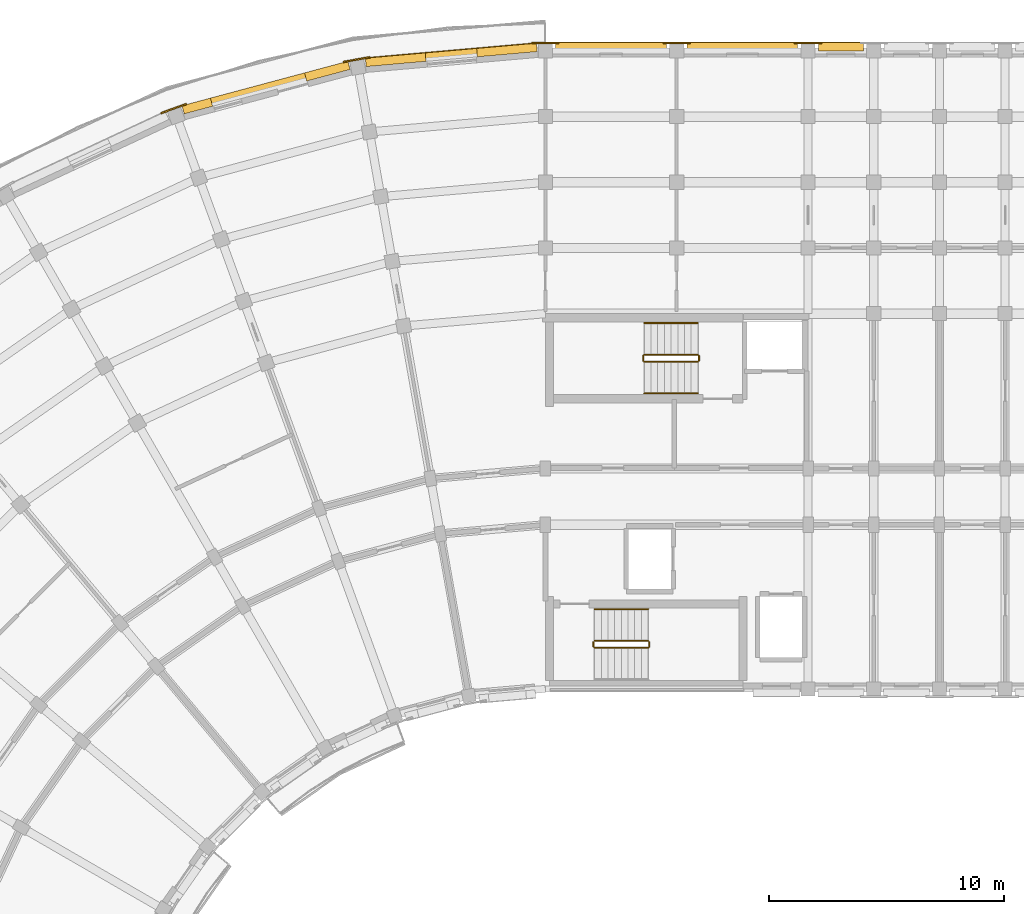
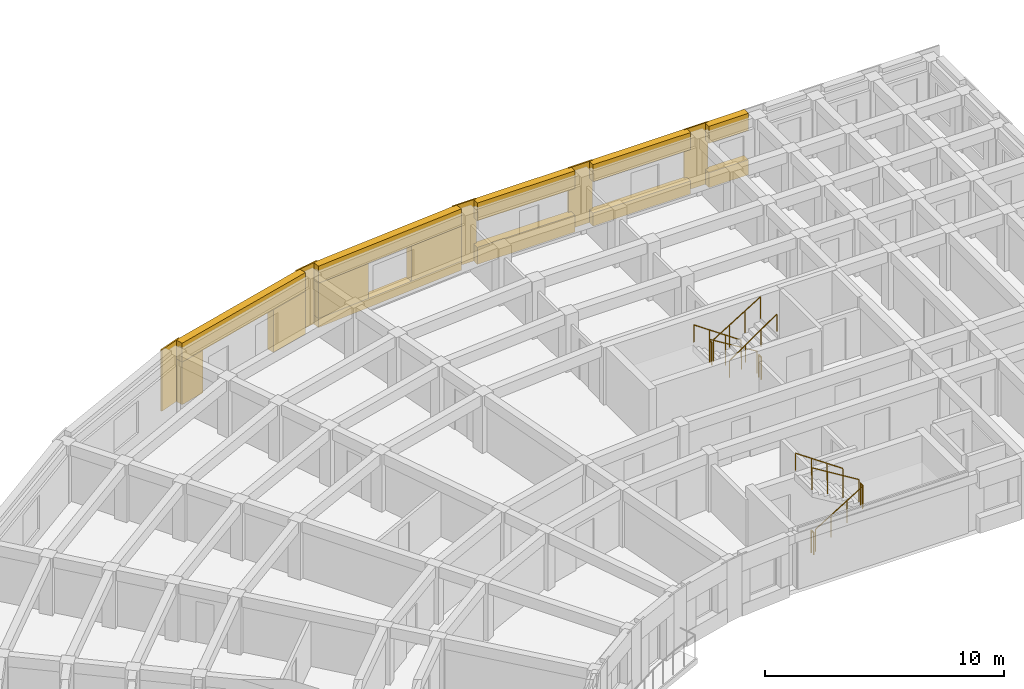
# One storey, part 34 of 41: 18 coverings, 11 railings.
"""IFC4 building model written with IfcOpenShell, lengths in metres."""

from ifc_helpers import new_model, si_unit, direction, frame, origin, origin_2d, place, context, subcontext, project, spatial, polyline, circle, outline, extrude, material, layer, layer_set, type_object, element, save


model = new_model("IFC4")

# Units and contexts
model_context = context("Model", 3, precision=1e-05, world=origin(), true_north=direction((0.0, 1.0)))
body_context = subcontext(model_context, "Body", "Model", "MODEL_VIEW")
ifc_project = project(units=[si_unit("LENGTHUNIT", "METRE"), si_unit("AREAUNIT", "SQUARE_METRE"), si_unit("VOLUMEUNIT", "CUBIC_METRE"), si_unit("PLANEANGLEUNIT", "RADIAN"), si_unit("MASSUNIT", "GRAM", prefix="KILO")], contexts=[model_context])

# Site, building, storey
site_placement = place(None, origin())
site = spatial("IfcSite", under=ifc_project, at=site_placement, CompositionType="ELEMENT")
building_placement = place(site_placement, origin())
building = spatial("IfcBuilding", under=site, at=building_placement, Name="Kiranvali Square Residences", CompositionType="ELEMENT")
storey_placement = place(building_placement, frame((0.0, 0.0, 33.89990234375)))
storey = spatial("IfcBuildingStorey", under=building, at=storey_placement, Name="L10", CompositionType="ELEMENT", Elevation=33.89990234375)

# Coverings
ifc_material_1 = material(Name="Honed Porbandar limestone ashlar facade cladding", Category="masonry")
ifc_layer_1 = layer(ifc_material_1, 0.3798828125)
ifc_layer_set_1 = layer_set([ifc_layer_1], Name="Honed Porbandar limestone ashlar facade cladding")
covering_type_1 = type_object("IfcCoveringType", Name="COV-CLAD-JAMB", PredefinedType="CLADDING", material=ifc_layer_set_1)
covering_1_placement = place(storey_placement, frame((0.0, 0.0, 0.47216796875)))
element("IfcCovering", 1, at=covering_1_placement, inside=storey, type_object=covering_type_1, Name="L10 deep limestone window jamb reveal A-L10-CRV-00.L", PredefinedType="CLADDING", context=body_context, shape_type="SweptSolid", body=[
    extrude(outline(polyline([(47.820068359375, 134.128173828125), (45.2705078125, 133.905029296875), (45.3017578125, 133.546875), (47.851318359375, 133.77001953125), (47.820068359375, 134.128173828125)])), origin(), (0.0, 0.0, 1.0), 1.800048828125),
])
covering_2_placement = place(storey_placement, frame((0.0, 0.0, 0.47216796875)))
element("IfcCovering", 2, at=covering_2_placement, inside=storey, type_object=covering_type_1, Name="L10 deep limestone window jamb reveal A-L10-CRV-00.R", PredefinedType="CLADDING", context=body_context, shape_type="SweptSolid", body=[
    extrude(outline(polyline([(43.078857421875, 133.71337890625), (40.529541015625, 133.490234375), (40.560791015625, 133.132080078125), (43.1103515625, 133.355224609375), (43.078857421875, 133.71337890625)])), origin(), (0.0, 0.0, 1.0), 1.800048828125),
])
covering_3_placement = place(storey_placement, origin())
element("IfcCovering", 3, at=covering_3_placement, inside=storey, type_object=covering_type_1, Name="L10 deep limestone window jamb reveal A-L10-CRV-01.L", PredefinedType="CLADDING", context=body_context, shape_type="SweptSolid", body=[
    extrude(outline(polyline([(39.781005859375, 133.3583984375), (37.9345703125, 132.863525390625), (38.027587890625, 132.516357421875), (39.8740234375, 133.010986328125), (39.781005859375, 133.3583984375)])), origin(), (0.0, 0.0, 1.0), 2.18017578125),
])
covering_4_placement = place(storey_placement, origin())
element("IfcCovering", 4, at=covering_4_placement, inside=storey, type_object=covering_type_1, Name="L10 deep limestone window jamb reveal A-L10-CRV-01.R", PredefinedType="CLADDING", context=body_context, shape_type="SweptSolid", body=[
    extrude(outline(polyline([(33.922119140625, 131.788330078125), (32.7119140625, 131.464111328125), (32.804931640625, 131.116943359375), (34.01513671875, 131.441162109375), (33.922119140625, 131.788330078125)])), origin(), (0.0, 0.0, 1.0), 2.18017578125),
])
ifc_layer_2 = layer(ifc_material_1, 0.06494140625)
ifc_layer_set_2 = layer_set([ifc_layer_2], Name="Honed Porbandar limestone ashlar facade cladding")
covering_type_2 = type_object("IfcCoveringType", Name="COV-CLAD-PIER", PredefinedType="CLADDING", material=ifc_layer_set_2)
covering_5_placement = place(storey_placement, frame((0.0, 0.0, 0.005126953125)))
element("IfcCovering", 5, at=covering_5_placement, inside=storey, type_object=covering_type_2, Name="L10 Classical limestone corner pilaster CLAD-PR-A-L10-A00", PredefinedType="CLADDING", context=body_context, shape_type="SweptSolid", body=[
    extrude(outline(polyline([(48.780029296875, 134.16796875), (47.6201171875, 134.16796875), (47.6201171875, 134.1005859375), (48.780029296875, 134.1005859375), (48.780029296875, 134.16796875)])), origin(), (0.0, 0.0, 1.0), 3.139892578125),
])
covering_6_placement = place(storey_placement, frame((0.0, 0.0, 0.005126953125)))
element("IfcCovering", 6, at=covering_6_placement, inside=storey, type_object=covering_type_2, Name="L10 Classical limestone corner pilaster CLAD-PR-A-L10-A01", PredefinedType="CLADDING", context=body_context, shape_type="SweptSolid", body=[
    extrude(outline(polyline([(40.719482421875, 133.564208984375), (39.5771484375, 133.36279296875), (39.5888671875, 133.29638671875), (40.731201171875, 133.497802734375), (40.719482421875, 133.564208984375)])), origin(), (0.0, 0.0, 1.0), 3.139892578125),
])
covering_7_placement = place(storey_placement, frame((0.0, 0.0, 0.005126953125)))
element("IfcCovering", 7, at=covering_7_placement, inside=storey, type_object=covering_type_2, Name="L10 Classical limestone corner pilaster CLAD-PR-A-L10-A02", PredefinedType="CLADDING", context=body_context, shape_type="SweptSolid", body=[
    extrude(outline(polyline([(32.88623046875, 131.570068359375), (31.796142578125, 131.17333984375), (31.8193359375, 131.10986328125), (32.909423828125, 131.506591796875), (32.88623046875, 131.570068359375)])), origin(), (0.0, 0.0, 1.0), 3.139892578125),
])
ifc_layer_3 = layer(ifc_material_1, 0.054931640625)
ifc_layer_set_3 = layer_set([ifc_layer_3], Name="Honed Porbandar limestone ashlar facade cladding")
covering_type_3 = type_object("IfcCoveringType", Name="COV-CLAD-PIER-UP", PredefinedType="CLADDING", material=ifc_layer_set_3)
covering_8_placement = place(storey_placement, frame((0.0, 0.0, 0.005126953125)))
element("IfcCovering", 8, at=covering_8_placement, inside=storey, type_object=covering_type_3, Name="L10 Classical limestone pilaster casing CLAD-PR-A-L10-U56", PredefinedType="CLADDING", context=body_context, shape_type="SweptSolid", body=[
    extrude(outline(polyline([(53.219970703125, 134.1005859375), (54.3798828125, 134.1005859375), (54.3798828125, 134.16796875), (53.219970703125, 134.16796875), (53.219970703125, 134.1005859375)])), origin(), (0.0, 0.0, 1.0), 3.139892578125),
])
covering_9_placement = place(storey_placement, frame((0.0, 0.0, 0.005126953125)))
element("IfcCovering", 9, at=covering_9_placement, inside=storey, type_object=covering_type_3, Name="L10 Classical limestone pilaster casing CLAD-PR-A-L10-U112", PredefinedType="CLADDING", context=body_context, shape_type="SweptSolid", body=[
    extrude(outline(polyline([(58.820068359375, 134.1005859375), (59.97998046875, 134.1005859375), (59.97998046875, 134.16796875), (58.820068359375, 134.16796875), (58.820068359375, 134.1005859375)])), origin(), (0.0, 0.0, 1.0), 3.139892578125),
])
ifc_layer_4 = layer(ifc_material_1, 0.360107421875)
ifc_layer_set_4 = layer_set([ifc_layer_4], Name="Honed Porbandar limestone ashlar facade cladding")
covering_type_4 = type_object("IfcCoveringType", Name="COV-CLAD-WALL", PredefinedType="CLADDING", material=ifc_layer_set_4)
covering_10_placement = place(storey_placement, frame((0.0, 0.0, 2.272216796875)))
element("IfcCovering", 10, at=covering_10_placement, inside=storey, type_object=covering_type_4, Name="L10 light limestone spandrel lintel A-L10-CRV-00", PredefinedType="CLADDING", context=body_context, shape_type="SweptSolid", body=[
    extrude(outline(polyline([(47.820068359375, 134.128173828125), (40.529541015625, 133.490234375), (40.560791015625, 133.132080078125), (47.851318359375, 133.77001953125), (47.820068359375, 134.128173828125)])), origin(), (0.0, 0.0, 1.0), 0.872802734375),
])
covering_11_placement = place(storey_placement, frame((0.0, 0.0, 2.18017578125)))
element("IfcCovering", 11, at=covering_11_placement, inside=storey, type_object=covering_type_4, Name="L10 light limestone spandrel lintel A-L10-CRV-01", PredefinedType="CLADDING", context=body_context, shape_type="SweptSolid", body=[
    extrude(outline(polyline([(39.781005859375, 133.3583984375), (32.7119140625, 131.464111328125), (32.804931640625, 131.116943359375), (39.8740234375, 133.010986328125), (39.781005859375, 133.3583984375)])), origin(), (0.0, 0.0, 1.0), 0.96484375),
])
covering_12_placement = place(storey_placement, frame((0.0, 0.0, 2.22998046875)))
element("IfcCovering", 12, at=covering_12_placement, inside=storey, type_object=covering_type_4, Name="L10 light limestone spandrel lintel A-L10-A1O-0", PredefinedType="CLADDING", context=body_context, shape_type="SweptSolid", body=[
    extrude(outline(polyline([(48.639892578125, 133.800537109375), (53.360107421875, 133.800537109375), (53.360107421875, 134.14990234375), (48.639892578125, 134.14990234375), (48.639892578125, 133.800537109375)])), origin(), (0.0, 0.0, 1.0), 0.9150390625),
])
covering_13_placement = place(storey_placement, frame((0.0, 0.0, 2.272216796875)))
element("IfcCovering", 13, at=covering_13_placement, inside=storey, type_object=covering_type_4, Name="L10 light limestone spandrel lintel A-L10-A1O-1", PredefinedType="CLADDING", context=body_context, shape_type="SweptSolid", body=[
    extrude(outline(polyline([(54.239990234375, 133.800537109375), (58.9599609375, 133.800537109375), (58.9599609375, 134.14990234375), (54.239990234375, 134.14990234375), (54.239990234375, 133.800537109375)])), origin(), (0.0, 0.0, 1.0), 0.872802734375),
])
covering_14_placement = place(storey_placement, frame((0.0, 0.0, 2.272216796875)))
element("IfcCovering", 14, at=covering_14_placement, inside=storey, type_object=covering_type_4, Name="L10 light limestone spandrel lintel A-L10-A1O-2", PredefinedType="CLADDING", context=body_context, shape_type="SweptSolid", body=[
    extrude(outline(polyline([(59.840087890625, 133.800537109375), (61.760009765625, 133.800537109375), (61.760009765625, 134.14990234375), (59.840087890625, 134.14990234375), (59.840087890625, 133.800537109375)])), origin(), (0.0, 0.0, 1.0), 0.872802734375),
])
ifc_layer_5 = layer(ifc_material_1, 0.320068359375)
ifc_layer_set_5 = layer_set([ifc_layer_5], Name="Honed Porbandar limestone ashlar facade cladding")
covering_type_5 = type_object("IfcCoveringType", Name="COV-CLAD-WALL-UP", PredefinedType="CLADDING", material=ifc_layer_set_5)
covering_15_placement = place(storey_placement, frame((0.0, 0.0, 0.005126953125)))
element("IfcCovering", 15, at=covering_15_placement, inside=storey, type_object=covering_type_5, Name="L10 limestone window sill apron A-L10-CRV-00", PredefinedType="CLADDING", context=body_context, shape_type="SweptSolid", body=[
    extrude(outline(polyline([(47.8173828125, 134.157958984375), (40.52685546875, 133.520263671875), (40.560791015625, 133.132080078125), (47.851318359375, 133.77001953125), (47.8173828125, 134.157958984375)])), origin(), (0.0, 0.0, 1.0), 0.467041015625),
])
covering_16_placement = place(storey_placement, frame((0.0, 0.0, 0.005126953125)))
element("IfcCovering", 16, at=covering_16_placement, inside=storey, type_object=covering_type_5, Name="L10 limestone window sill apron A-L10-A1O-0", PredefinedType="CLADDING", context=body_context, shape_type="SweptSolid", body=[
    extrude(outline(polyline([(48.639892578125, 133.800537109375), (53.360107421875, 133.800537109375), (53.360107421875, 134.179931640625), (48.639892578125, 134.179931640625), (48.639892578125, 133.800537109375)])), origin(), (0.0, 0.0, 1.0), 0.875),
])
covering_17_placement = place(storey_placement, frame((0.0, 0.0, 0.005126953125)))
element("IfcCovering", 17, at=covering_17_placement, inside=storey, type_object=covering_type_5, Name="L10 limestone window sill apron A-L10-A1O-1", PredefinedType="CLADDING", context=body_context, shape_type="SweptSolid", body=[
    extrude(outline(polyline([(54.239990234375, 133.800537109375), (58.9599609375, 133.800537109375), (58.9599609375, 134.179931640625), (54.239990234375, 134.179931640625), (54.239990234375, 133.800537109375)])), origin(), (0.0, 0.0, 1.0), 0.6669921875),
])
covering_18_placement = place(storey_placement, frame((0.0, 0.0, 0.005126953125)))
element("IfcCovering", 18, at=covering_18_placement, inside=storey, type_object=covering_type_5, Name="L10 limestone window sill apron A-L10-A1O-2", PredefinedType="CLADDING", context=body_context, shape_type="SweptSolid", body=[
    extrude(outline(polyline([(59.840087890625, 133.800537109375), (61.760009765625, 133.800537109375), (61.760009765625, 134.179931640625), (59.840087890625, 134.179931640625), (59.840087890625, 133.800537109375)])), origin(), (0.0, 0.0, 1.0), 0.76708984375),
])

# Railings
ifc_material_2 = material(Name="Brushed stainless steel tubular handrail", Category="steel")
railing_type_1 = type_object("IfcRailingType", Name="RL-HANDRAIL-900", PredefinedType="HANDRAIL", material=ifc_material_2)
railing_1_placement = place(storey_placement, frame((54.699951171875, 122.199951171875, 0.175048828125)))
element("IfcRailing", 19, at=railing_1_placement, inside=storey, type_object=railing_type_1, Name="L10 ST-A1 stair handrail 1", PredefinedType="HANDRAIL", context=body_context, shape_type="SweptSolid", body=[
    extrude(circle(Radius=0.02392578125, at=origin_2d()), frame((0.0, 0.0, 0.8759765625), z_axis=(-0.82278801735, 0.0, 0.568348377763), x_axis=(0.0, -1.0, 0.0)), (0.0, 0.0, 1.0), 2.77099609375),
    extrude(circle(Radius=0.02099609375, at=origin_2d()), origin(), (0.0, 0.0, 1.0), 0.851806640625),
    extrude(circle(Radius=0.02099609375, at=origin_2d()), frame((-0.760009765625, 0.0, 0.52490234375)), (0.0, 0.0, 1.0), 0.851806640625),
    extrude(circle(Radius=0.02099609375, at=origin_2d()), frame((-1.52001953125, 0.0, 1.050048828125)), (0.0, 0.0, 1.0), 0.851806640625),
    extrude(circle(Radius=0.02099609375, at=origin_2d()), frame((-2.280029296875, 0.0, 1.574951171875)), (0.0, 0.0, 1.0), 0.851806640625),
])
railing_2_placement = place(storey_placement, frame((52.419921875, 119.199951171875, 1.75)))
element("IfcRailing", 20, at=railing_2_placement, inside=storey, type_object=railing_type_1, Name="L10 ST-A1 stair handrail 2", PredefinedType="HANDRAIL", context=body_context, shape_type="SweptSolid", body=[
    extrude(circle(Radius=0.02392578125, at=origin_2d()), frame((0.0, 0.0, 0.8759765625), z_axis=(0.82274681792, 0.0, 0.568408016835), x_axis=(0.0, 1.0, 0.0)), (0.0, 0.0, 1.0), 2.771240234375),
    extrude(circle(Radius=0.02099609375, at=origin_2d()), origin(), (0.0, 0.0, 1.0), 0.851806640625),
    extrude(circle(Radius=0.02099609375, at=origin_2d()), frame((0.760009765625, 0.0, 0.525146484375)), (0.0, 0.0, 1.0), 0.851806640625),
    extrude(circle(Radius=0.02099609375, at=origin_2d()), frame((1.52001953125, 0.0, 1.050048828125)), (0.0, 0.0, 1.0), 0.851806640625),
    extrude(circle(Radius=0.02099609375, at=origin_2d()), frame((2.280029296875, 0.0, 1.5751953125)), (0.0, 0.0, 1.0), 0.851806640625),
])
railing_3_placement = place(storey_placement, frame((52.580078125, 110.0, 1.75)))
element("IfcRailing", 21, at=railing_3_placement, inside=storey, type_object=railing_type_1, Name="L10 ST-A2 stair handrail 2", PredefinedType="HANDRAIL", context=body_context, shape_type="SweptSolid", body=[
    extrude(circle(Radius=0.02392578125, at=origin_2d()), frame((0.0, 0.0, 0.8759765625), z_axis=(-0.82274681792, 0.0, 0.568408016835), x_axis=(0.0, -1.0, 0.0)), (0.0, 0.0, 1.0), 2.771240234375),
    extrude(circle(Radius=0.02099609375, at=origin_2d()), origin(), (0.0, 0.0, 1.0), 0.851806640625),
    extrude(circle(Radius=0.02099609375, at=origin_2d()), frame((-0.760009765625, 0.0, 0.525146484375)), (0.0, 0.0, 1.0), 0.851806640625),
    extrude(circle(Radius=0.02099609375, at=origin_2d()), frame((-1.52001953125, 0.0, 1.050048828125)), (0.0, 0.0, 1.0), 0.851806640625),
    extrude(circle(Radius=0.02099609375, at=origin_2d()), frame((-2.280029296875, 0.0, 1.5751953125)), (0.0, 0.0, 1.0), 0.851806640625),
])
ifc_material_3 = material(Name="Powder-coated architectural bronze balustrade", Category="steel")
railing_type_2 = type_object("IfcRailingType", Name="RL-ST-GUARD-1200", PredefinedType="GUARDRAIL", material=ifc_material_3)
railing_4_placement = place(storey_placement, frame((54.699951171875, 120.85009765625, 0.175048828125)))
element("IfcRailing", 22, at=railing_4_placement, inside=storey, type_object=railing_type_2, Name="L10 ST-A1 stair guard 1", PredefinedType="GUARDRAIL", context=body_context, shape_type="SweptSolid", body=[
    extrude(circle(Radius=0.02392578125, at=origin_2d()), frame((0.0, 0.0, 1.1259765625), z_axis=(-0.852149810458, 0.0, 0.523297908018), x_axis=(0.0, -1.0, 0.0)), (0.0, 0.0, 1.0), 2.675537109375),
    extrude(circle(Radius=0.02099609375, at=origin_2d()), origin(), (0.0, 0.0, 1.0), 1.101806640625),
    extrude(circle(Radius=0.02099609375, at=origin_2d()), frame((-0.760009765625, 0.0, 0.466796875)), (0.0, 0.0, 1.0), 1.101806640625),
    extrude(circle(Radius=0.02099609375, at=origin_2d()), frame((-1.52001953125, 0.0, 0.933349609375)), (0.0, 0.0, 1.0), 1.101806640625),
    extrude(circle(Radius=0.02099609375, at=origin_2d()), frame((-2.280029296875, 0.0, 1.400146484375)), (0.0, 0.0, 1.0), 1.101806640625),
])
railing_5_placement = place(storey_placement, frame((52.3701171875, 120.800048828125, 1.5751953125)))
element("IfcRailing", 23, at=railing_5_placement, inside=storey, type_object=railing_type_2, Name="L10 ST-A1 stair guard 2", PredefinedType="GUARDRAIL", context=body_context, shape_type="SweptSolid", body=[
    extrude(circle(Radius=0.02392578125, at=origin_2d()), frame((0.0, 0.0, 1.1259765625), z_axis=(0.0, -1.0, 0.0), x_axis=(1.0, 0.0, 0.0)), (0.0, 0.0, 1.0), 0.199951171875),
    extrude(circle(Radius=0.02099609375, at=origin_2d()), origin(), (0.0, 0.0, 1.0), 1.101806640625),
    extrude(circle(Radius=0.02099609375, at=origin_2d()), frame((0.0, -0.199951171875, 0.0)), (0.0, 0.0, 1.0), 1.101806640625),
])
railing_6_placement = place(storey_placement, frame((52.419921875, 120.550048828125, 1.75)))
element("IfcRailing", 24, at=railing_6_placement, inside=storey, type_object=railing_type_2, Name="L10 ST-A1 stair guard 3", PredefinedType="GUARDRAIL", context=body_context, shape_type="SweptSolid", body=[
    extrude(circle(Radius=0.02392578125, at=origin_2d()), frame((0.0, 0.0, 1.1259765625), z_axis=(0.852149810458, 0.0, 0.523297908018), x_axis=(0.0, 1.0, 0.0)), (0.0, 0.0, 1.0), 2.675537109375),
    extrude(circle(Radius=0.02099609375, at=origin_2d()), origin(), (0.0, 0.0, 1.0), 1.101806640625),
    extrude(circle(Radius=0.02099609375, at=origin_2d()), frame((0.760009765625, 0.0, 0.466796875)), (0.0, 0.0, 1.0), 1.101806640625),
    extrude(circle(Radius=0.02099609375, at=origin_2d()), frame((1.52001953125, 0.0, 0.933349609375)), (0.0, 0.0, 1.0), 1.101806640625),
    extrude(circle(Radius=0.02099609375, at=origin_2d()), frame((2.280029296875, 0.0, 1.400146484375)), (0.0, 0.0, 1.0), 1.101806640625),
])
railing_7_placement = place(storey_placement, frame((54.75, 120.800048828125, 0.0)))
element("IfcRailing", 25, at=railing_7_placement, inside=storey, type_object=railing_type_2, Name="L10 ST-A1 stair guard 4", PredefinedType="GUARDRAIL", context=body_context, shape_type="SweptSolid", body=[
    extrude(circle(Radius=0.02392578125, at=origin_2d()), frame((0.0, 0.0, 1.1259765625), z_axis=(0.0, -1.0, 0.0), x_axis=(1.0, 0.0, 0.0)), (0.0, 0.0, 1.0), 0.199951171875),
    extrude(circle(Radius=0.02099609375, at=origin_2d()), origin(), (0.0, 0.0, 1.0), 1.101806640625),
    extrude(circle(Radius=0.02099609375, at=origin_2d()), frame((0.0, -0.199951171875, 0.0)), (0.0, 0.0, 1.0), 1.101806640625),
])
railing_8_placement = place(storey_placement, frame((50.300048828125, 108.35009765625, 0.175048828125)))
element("IfcRailing", 26, at=railing_8_placement, inside=storey, type_object=railing_type_2, Name="L10 ST-A2 stair guard 1", PredefinedType="GUARDRAIL", context=body_context, shape_type="SweptSolid", body=[
    extrude(circle(Radius=0.02392578125, at=origin_2d()), frame((0.0, 0.0, 1.1259765625), z_axis=(0.852149810458, 0.0, 0.523297908018), x_axis=(0.0, 1.0, 0.0)), (0.0, 0.0, 1.0), 2.675537109375),
    extrude(circle(Radius=0.02099609375, at=origin_2d()), origin(), (0.0, 0.0, 1.0), 1.101806640625),
    extrude(circle(Radius=0.02099609375, at=origin_2d()), frame((0.760009765625, 0.0, 0.466796875)), (0.0, 0.0, 1.0), 1.101806640625),
    extrude(circle(Radius=0.02099609375, at=origin_2d()), frame((1.52001953125, 0.0, 0.933349609375)), (0.0, 0.0, 1.0), 1.101806640625),
    extrude(circle(Radius=0.02099609375, at=origin_2d()), frame((2.280029296875, 0.0, 1.400146484375)), (0.0, 0.0, 1.0), 1.101806640625),
])
railing_9_placement = place(storey_placement, frame((52.6298828125, 108.39990234375, 1.5751953125)))
element("IfcRailing", 27, at=railing_9_placement, inside=storey, type_object=railing_type_2, Name="L10 ST-A2 stair guard 2", PredefinedType="GUARDRAIL", context=body_context, shape_type="SweptSolid", body=[
    extrude(circle(Radius=0.02392578125, at=origin_2d()), frame((0.0, 0.0, 1.1259765625), z_axis=(0.0, 1.0, 0.0), x_axis=(-1.0, 0.0, 0.0)), (0.0, 0.0, 1.0), 0.2001953125),
    extrude(circle(Radius=0.02099609375, at=origin_2d()), origin(), (0.0, 0.0, 1.0), 1.101806640625),
    extrude(circle(Radius=0.02099609375, at=origin_2d()), frame((0.0, 0.2001953125, 0.0)), (0.0, 0.0, 1.0), 1.101806640625),
])
railing_10_placement = place(storey_placement, frame((52.580078125, 108.64990234375, 1.75)))
element("IfcRailing", 28, at=railing_10_placement, inside=storey, type_object=railing_type_2, Name="L10 ST-A2 stair guard 3", PredefinedType="GUARDRAIL", context=body_context, shape_type="SweptSolid", body=[
    extrude(circle(Radius=0.02392578125, at=origin_2d()), frame((0.0, 0.0, 1.1259765625), z_axis=(-0.852149810458, 0.0, 0.523297908018), x_axis=(0.0, -1.0, 0.0)), (0.0, 0.0, 1.0), 2.675537109375),
    extrude(circle(Radius=0.02099609375, at=origin_2d()), origin(), (0.0, 0.0, 1.0), 1.101806640625),
    extrude(circle(Radius=0.02099609375, at=origin_2d()), frame((-0.760009765625, 0.0, 0.466796875)), (0.0, 0.0, 1.0), 1.101806640625),
    extrude(circle(Radius=0.02099609375, at=origin_2d()), frame((-1.52001953125, 0.0, 0.933349609375)), (0.0, 0.0, 1.0), 1.101806640625),
    extrude(circle(Radius=0.02099609375, at=origin_2d()), frame((-2.280029296875, 0.0, 1.400146484375)), (0.0, 0.0, 1.0), 1.101806640625),
])
railing_11_placement = place(storey_placement, frame((50.25, 108.39990234375, 0.0)))
element("IfcRailing", 29, at=railing_11_placement, inside=storey, type_object=railing_type_2, Name="L10 ST-A2 stair guard 4", PredefinedType="GUARDRAIL", context=body_context, shape_type="SweptSolid", body=[
    extrude(circle(Radius=0.02392578125, at=origin_2d()), frame((0.0, 0.0, 1.1259765625), z_axis=(0.0, 1.0, 0.0), x_axis=(-1.0, 0.0, 0.0)), (0.0, 0.0, 1.0), 0.2001953125),
    extrude(circle(Radius=0.02099609375, at=origin_2d()), origin(), (0.0, 0.0, 1.0), 1.101806640625),
    extrude(circle(Radius=0.02099609375, at=origin_2d()), frame((0.0, 0.2001953125, 0.0)), (0.0, 0.0, 1.0), 1.101806640625),
])

save(model, "model.ifc")
